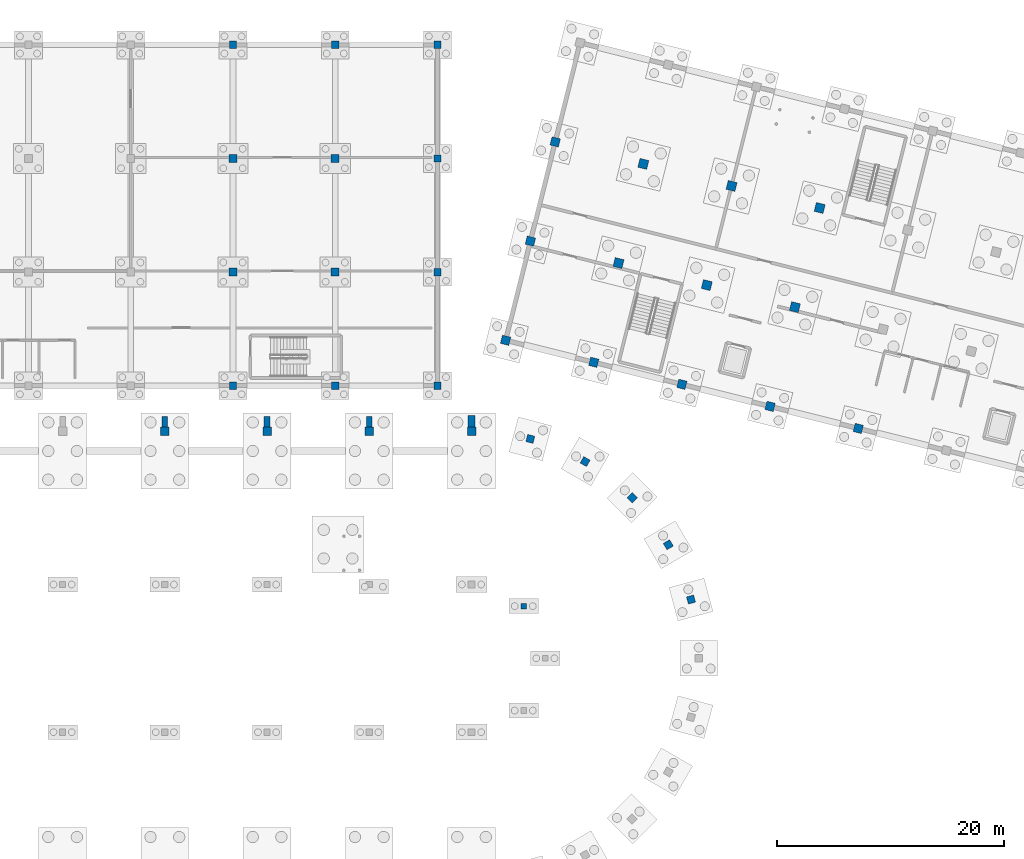
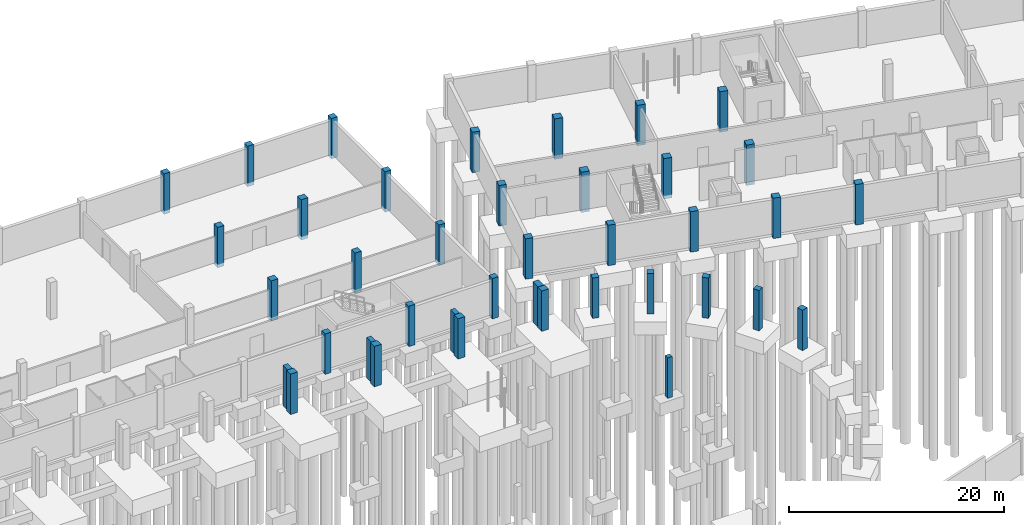
# One storey, part 15 of 36: 39 columns.
"""IFC4 building model written with IfcOpenShell, lengths in metres."""

from ifc_helpers import new_model, si_unit, derived_unit, direction, frame, origin, origin_2d, place, context, subcontext, project, spatial, rectangle, extrude, material, material_profile, profile_set, type_object, element, save


model = new_model("IFC4")

# Units and contexts
model_context = context("Model", 3, precision=1e-05, world=origin(), true_north=direction((0.0, 1.0)))
body_context = subcontext(model_context, "Body", "Model", "MODEL_VIEW")
ifc_project = project(units=[si_unit("LENGTHUNIT", "METRE"), si_unit("AREAUNIT", "SQUARE_METRE"), si_unit("VOLUMEUNIT", "CUBIC_METRE"), si_unit("PLANEANGLEUNIT", "RADIAN"), si_unit("MASSUNIT", "GRAM", prefix="KILO"), si_unit("THERMODYNAMICTEMPERATUREUNIT", "KELVIN"), si_unit("TIMEUNIT", "SECOND"), derived_unit("THERMALTRANSMITTANCEUNIT", [(si_unit("MASSUNIT", "GRAM", prefix="KILO"), 1), (si_unit("THERMODYNAMICTEMPERATUREUNIT", "KELVIN"), -1), (si_unit("TIMEUNIT", "SECOND"), -3)])], contexts=[model_context])

# Site, building, storey
site_placement = place(None, origin())
site = spatial("IfcSite", under=ifc_project, at=site_placement, CompositionType="ELEMENT")
building_placement = place(site_placement, origin())
building = spatial("IfcBuilding", under=site, at=building_placement, Name="Cambertide Market Hall", CompositionType="ELEMENT")
storey_placement = place(building_placement, frame((0.0, 0.0, -4.199951171875)))
storey = spatial("IfcBuildingStorey", under=building, at=storey_placement, Name="B1", CompositionType="ELEMENT", Elevation=-4.199951171875)

# Columns
ifc_material_1 = material(Name="Concrete B35", Category="concrete")
ifc_material_profile_1 = material_profile(ifc_material_1, rectangle(XDim=0.5, YDim=0.89990234375, at=origin_2d()), Name="RC 500x900")
ifc_profile_set_1 = profile_set([ifc_material_profile_1], Name="Concrete B35")
column_type_1 = type_object("IfcColumnType", Name="Concrete Buttress Pilaster RC 500x900", PredefinedType="PILASTER", material=ifc_profile_set_1)
for number, where, z_axis, x_axis, name in (
    (1, (78.0, 92.830078125, -0.400146484375), (0.0, 0.0, 1.0), (1.0, 0.0, 0.0), "Basement 1 Pilaster PIL-V1-N5"),
    (2, (87.0, 92.830078125, -0.400146484375), (0.0, 0.0, 1.0), (1.0, 0.0, 0.0), "Basement 1 Pilaster PIL-V1-N6"),
    (3, (96.0, 92.830078125, -0.400146484375), (0.0, 0.0, 1.0), (1.0, 0.0, 0.0), "Basement 1 Pilaster PIL-V1-N7"),
):
    element("IfcColumn", number, at=place(storey_placement, frame(where, z_axis=z_axis, x_axis=x_axis)), inside=storey, type_object=column_type_1, Name=name, PredefinedType="PILASTER", context=body_context, shape_type="SweptSolid", body=[
        extrude(rectangle(XDim=0.5, YDim=0.89990234375, at=origin_2d()), origin(), (0.0, 0.0, 1.0), 4.60009765625),
    ])
ifc_material_2 = material(Name="Concrete B35", Category="concrete")
ifc_material_profile_2 = material_profile(ifc_material_2, rectangle(XDim=0.60009765625, YDim=1.0, at=origin_2d()), Name="RC 600x1000")
ifc_profile_set_2 = profile_set([ifc_material_profile_2], Name="Concrete B35")
column_type_2 = type_object("IfcColumnType", Name="Concrete Buttress Pilaster RC 600x1000", PredefinedType="PILASTER", material=ifc_profile_set_2)
column_1_placement = place(storey_placement, frame((105.0, 92.8798828125, -0.400146484375), z_axis=(0.0, 0.0, 1.0), x_axis=(1.0, 0.0, 0.0)))
element("IfcColumn", 4, at=column_1_placement, inside=storey, type_object=column_type_2, Name="Basement 1 Pilaster PIL-V1-N8", PredefinedType="PILASTER", context=body_context, shape_type="SweptSolid", body=[
    extrude(rectangle(XDim=0.60009765625, YDim=1.0, at=origin_2d()), origin(), (0.0, 0.0, 1.0), 4.60009765625),
])
ifc_material_3 = material(Name="Concrete B30", Category="concrete")
ifc_material_profile_3 = material_profile(ifc_material_3, rectangle(XDim=0.5, YDim=0.5, at=origin_2d()), Name="RC 500x500")
ifc_profile_set_3 = profile_set([ifc_material_profile_3], Name="Concrete B30")
column_type_3 = type_object("IfcColumnType", Name="Concrete Column RC 500x500", PredefinedType="COLUMN", material=ifc_profile_set_3)
column_2_placement = place(storey_placement, frame((109.59619140625, 76.59619140625, -0.400146484375), z_axis=(0.0, 0.0, 1.0), x_axis=(1.0, 0.0, 0.0)))
element("IfcColumn", 5, at=column_2_placement, inside=storey, type_object=column_type_3, Name="Basement 1 Column COL-V1-ME18-B1", PredefinedType="COLUMN", context=body_context, shape_type="SweptSolid", body=[
    extrude(rectangle(XDim=0.5, YDim=0.5, at=origin_2d()), origin(), (0.0, 0.0, 1.0), 4.60009765625),
])
ifc_material_4 = material(Name="Concrete B35", Category="concrete")
ifc_material_profile_4 = material_profile(ifc_material_4, rectangle(XDim=0.64990234375, YDim=0.64990234375, at=origin_2d()), Name="RC 650x650")
ifc_profile_set_4 = profile_set([ifc_material_profile_4], Name="Concrete B35")
column_type_4 = type_object("IfcColumnType", Name="Concrete Column RC 650x650", PredefinedType="COLUMN", material=ifc_profile_set_4)
for number, where, z_axis, x_axis, name in (
    (6, (124.318603515625, 77.17626953125, -0.400146484375), (0.0, 0.0, 1.0), (0.965925826289, 0.258819045103, 0.0), "Basement 1 Column COL-V1-AE14-B1"),
    (7, (122.320556640625, 82.0, -0.400146484375), (0.0, 0.0, 1.0), (0.866025403784, 0.5, 0.0), "Basement 1 Column COL-V1-AE16-B1"),
    (8, (119.14208984375, 86.14208984375, -0.400146484375), (0.0, 0.0, 1.0), (0.707106781187, 0.707106781187, 0.0), "Basement 1 Column COL-V1-AE18-B1"),
    (9, (115.0, 89.320556640625, -0.400146484375), (0.0, 0.0, 1.0), (0.5, 0.866025403784, 0.0), "Basement 1 Column COL-V1-AE20-B1"),
    (10, (110.17626953125, 91.318603515625, -0.400146484375), (0.0, 0.0, 1.0), (0.258819045103, 0.965925826289, 0.0), "Basement 1 Column COL-V1-AE22-B1"),
    (11, (84.0, 96.0, -0.400146484375), (0.0, 0.0, 1.0), (1.0, 0.0, 0.0), "Basement 1 Column COL-V2-9-1-B1"),
    (12, (84.0, 126.0, -0.400146484375), (0.0, 0.0, 1.0), (1.0, 0.0, 0.0), "Basement 1 Column COL-V2-9-4-B1"),
    (13, (93.0, 96.0, -0.400146484375), (0.0, 0.0, 1.0), (1.0, 0.0, 0.0), "Basement 1 Column COL-V2-10-1-B1"),
    (14, (93.0, 126.0, -0.400146484375), (0.0, 0.0, 1.0), (1.0, 0.0, 0.0), "Basement 1 Column COL-V2-10-4-B1"),
    (15, (102.0, 96.0, -0.400146484375), (0.0, 0.0, 1.0), (1.0, 0.0, 0.0), "Basement 1 Column COL-V2-11-1-B1"),
    (16, (102.0, 106.0, -0.400146484375), (0.0, 0.0, 1.0), (1.0, 0.0, 0.0), "Basement 1 Column COL-V2-11-2-B1"),
    (17, (102.0, 116.0, -0.400146484375), (0.0, 0.0, 1.0), (1.0, 0.0, 0.0), "Basement 1 Column COL-V2-11-3-B1"),
    (18, (102.0, 126.0, -0.400146484375), (0.0, 0.0, 1.0), (1.0, 0.0, 0.0), "Basement 1 Column COL-V2-11-4-B1"),
):
    element("IfcColumn", number, at=place(storey_placement, frame(where, z_axis=z_axis, x_axis=x_axis)), inside=storey, type_object=column_type_4, Name=name, PredefinedType="COLUMN", context=body_context, shape_type="SweptSolid", body=[
        extrude(rectangle(XDim=0.64990234375, YDim=0.64990234375, at=origin_2d()), origin(), (0.0, 0.0, 1.0), 4.60009765625),
    ])
ifc_material_5 = material(Name="Concrete B35", Category="concrete")
ifc_material_profile_5 = material_profile(ifc_material_5, rectangle(XDim=0.699951171875, YDim=0.699951171875, at=origin_2d()), Name="RC 700x700")
ifc_profile_set_5 = profile_set([ifc_material_profile_5], Name="Concrete B35")
column_type_5 = type_object("IfcColumnType", Name="Concrete Column RC 700x700", PredefinedType="COLUMN", material=ifc_profile_set_5)
for number, where, z_axis, x_axis, name in (
    (19, (84.0, 106.0, -0.400146484375), (0.0, 0.0, 1.0), (1.0, 0.0, 0.0), "Basement 1 Column COL-V2-9-2-B1"),
    (20, (84.0, 116.0, -0.400146484375), (0.0, 0.0, 1.0), (1.0, 0.0, 0.0), "Basement 1 Column COL-V2-9-3-B1"),
    (21, (93.0, 106.0, -0.400146484375), (0.0, 0.0, 1.0), (1.0, 0.0, 0.0), "Basement 1 Column COL-V2-10-2-B1"),
    (22, (93.0, 116.0, -0.400146484375), (0.0, 0.0, 1.0), (1.0, 0.0, 0.0), "Basement 1 Column COL-V2-10-3-B1"),
):
    element("IfcColumn", number, at=place(storey_placement, frame(where, z_axis=z_axis, x_axis=x_axis)), inside=storey, type_object=column_type_5, Name=name, PredefinedType="COLUMN", context=body_context, shape_type="SweptSolid", body=[
        extrude(rectangle(XDim=0.699951171875, YDim=0.699951171875, at=origin_2d()), origin(), (0.0, 0.0, 1.0), 4.60009765625),
    ])
ifc_material_6 = material(Name="Concrete B35", Category="concrete")
ifc_material_profile_6 = material_profile(ifc_material_6, rectangle(XDim=0.75, YDim=0.75, at=origin_2d()), Name="RC 750x750")
ifc_profile_set_6 = profile_set([ifc_material_profile_6], Name="Concrete B35")
column_type_6 = type_object("IfcColumnType", Name="Concrete Column RC 750x750", PredefinedType="COLUMN", material=ifc_profile_set_6)
for number, where, z_axis, x_axis, name in (
    (23, (78.0, 92.0, -0.400146484375), (0.0, 0.0, 1.0), (0.0, 1.0, 0.0), "Basement 1 Column COL-V1-N5-B1"),
    (24, (87.0, 92.0, -0.400146484375), (0.0, 0.0, 1.0), (0.0, 1.0, 0.0), "Basement 1 Column COL-V1-N6-B1"),
    (25, (96.0, 92.0, -0.400146484375), (0.0, 0.0, 1.0), (0.0, 1.0, 0.0), "Basement 1 Column COL-V1-N7-B1"),
    (26, (105.0, 92.0, -0.400146484375), (0.0, 0.0, 1.0), (0.0, 1.0, 0.0), "Basement 1 Column COL-V1-N8-B1"),
    (27, (108.0, 100.0, -0.400146484375), (0.0, 0.0, 1.0), (0.970142500145, -0.242535625038, 0.0), "Basement 1 Column COL-V4-1-1-B1"),
    (28, (110.182861328125, 108.731201171875, -0.400146484375), (0.0, 0.0, 1.0), (0.970142500145, -0.242535625038, 0.0), "Basement 1 Column COL-V4-1-2-B1"),
    (29, (112.36572265625, 117.462646484375, -0.400146484375), (0.0, 0.0, 1.0), (0.970142500145, -0.242535625038, 0.0), "Basement 1 Column COL-V4-1-3-B1"),
    (30, (115.76123046875, 98.059814453125, -0.400146484375), (0.0, 0.0, 1.0), (0.970142500145, -0.242535625038, 0.0), "Basement 1 Column COL-V4-2-1-B1"),
    (31, (123.522216796875, 96.119384765625, -0.400146484375), (0.0, 0.0, 1.0), (0.970142500145, -0.242535625038, 0.0), "Basement 1 Column COL-V4-3-1-B1"),
    (32, (131.283447265625, 94.17919921875, -0.400146484375), (0.0, 0.0, 1.0), (0.970142500145, -0.242535625038, 0.0), "Basement 1 Column COL-V4-4-1-B1"),
    (33, (139.044677734375, 92.23876953125, -0.400146484375), (0.0, 0.0, 1.0), (0.970142500145, -0.242535625038, 0.0), "Basement 1 Column COL-V4-5-1-B1"),
):
    element("IfcColumn", number, at=place(storey_placement, frame(where, z_axis=z_axis, x_axis=x_axis)), inside=storey, type_object=column_type_6, Name=name, PredefinedType="COLUMN", context=body_context, shape_type="SweptSolid", body=[
        extrude(rectangle(XDim=0.75, YDim=0.75, at=origin_2d()), origin(), (0.0, 0.0, 1.0), 4.60009765625),
    ])
ifc_material_7 = material(Name="Concrete B35", Category="concrete")
ifc_material_profile_7 = material_profile(ifc_material_7, rectangle(XDim=0.800048828125, YDim=0.800048828125, at=origin_2d()), Name="RC 800x800")
ifc_profile_set_7 = profile_set([ifc_material_profile_7], Name="Concrete B35")
column_type_7 = type_object("IfcColumnType", Name="Concrete Column RC 800x800", PredefinedType="COLUMN", material=ifc_profile_set_7)
for number, where, z_axis, x_axis, name in (
    (34, (117.94384765625, 106.791015625, -0.400146484375), (0.0, 0.0, 1.0), (0.970142500145, -0.242535625038, 0.0), "Basement 1 Column COL-V4-2-2-B1"),
    (35, (120.126708984375, 115.522216796875, -0.400146484375), (0.0, 0.0, 1.0), (0.970142500145, -0.242535625038, 0.0), "Basement 1 Column COL-V4-2-3-B1"),
    (36, (125.705078125, 104.850830078125, -0.400146484375), (0.0, 0.0, 1.0), (0.970142500145, -0.242535625038, 0.0), "Basement 1 Column COL-V4-3-2-B1"),
    (37, (127.887939453125, 113.58203125, -0.400146484375), (0.0, 0.0, 1.0), (0.970142500145, -0.242535625038, 0.0), "Basement 1 Column COL-V4-3-3-B1"),
    (38, (133.46630859375, 102.910400390625, -0.400146484375), (0.0, 0.0, 1.0), (0.970142500145, -0.242535625038, 0.0), "Basement 1 Column COL-V4-4-2-B1"),
    (39, (135.649169921875, 111.6416015625, -0.400146484375), (0.0, 0.0, 1.0), (0.970142500145, -0.242535625038, 0.0), "Basement 1 Column COL-V4-4-3-B1"),
):
    element("IfcColumn", number, at=place(storey_placement, frame(where, z_axis=z_axis, x_axis=x_axis)), inside=storey, type_object=column_type_7, Name=name, PredefinedType="COLUMN", context=body_context, shape_type="SweptSolid", body=[
        extrude(rectangle(XDim=0.800048828125, YDim=0.800048828125, at=origin_2d()), origin(), (0.0, 0.0, 1.0), 4.60009765625),
    ])

save(model, "model.ifc")
